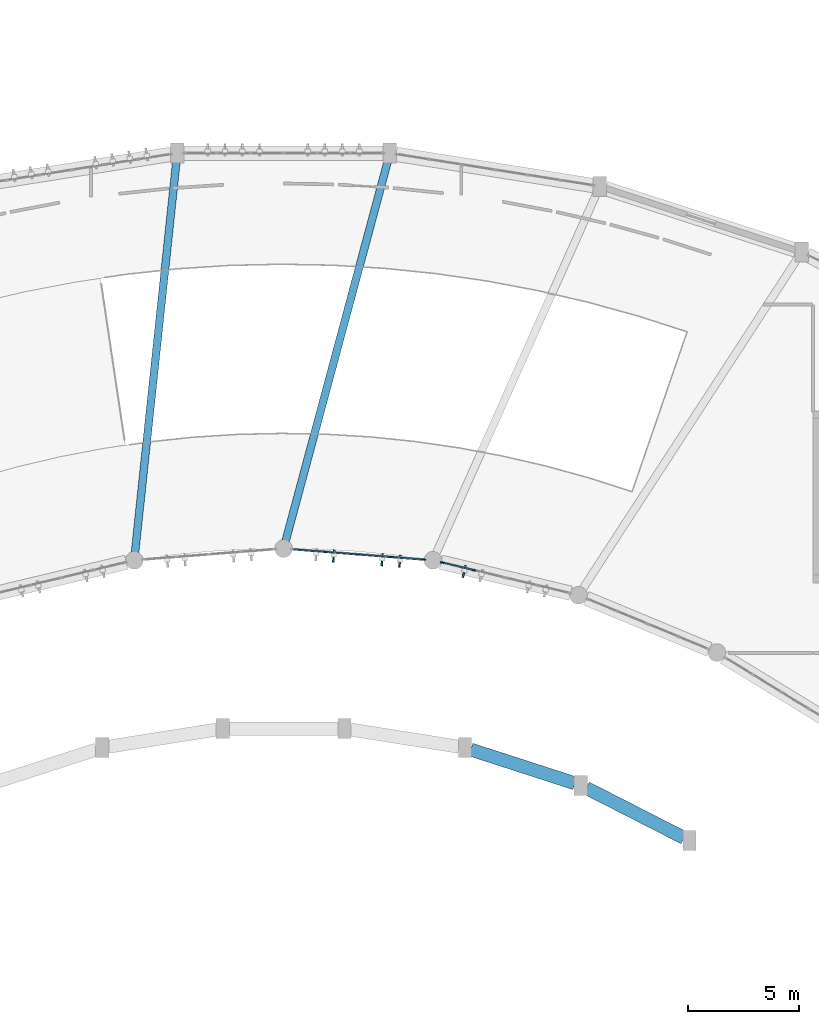
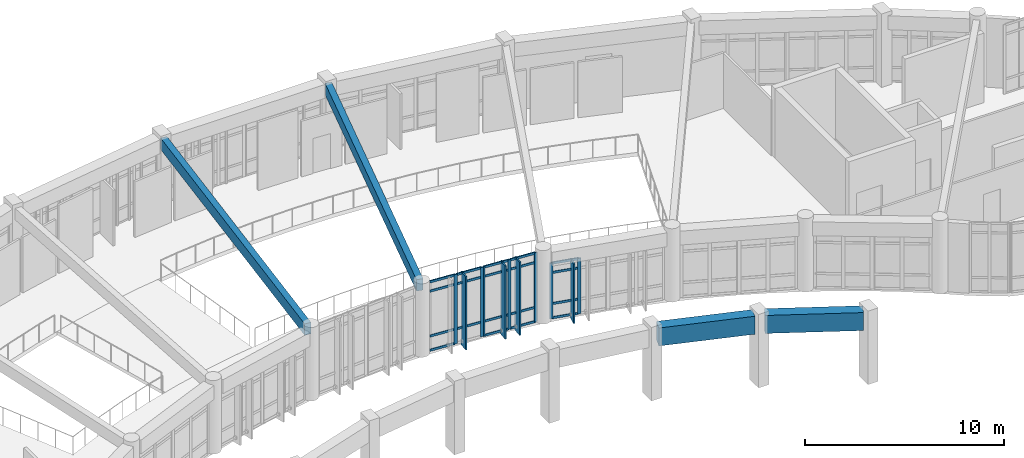
# One storey, part 15 of 54: 30 members, 4 beams, 3 elements without a shape of their own.
"""IFC4 building model written with IfcOpenShell, lengths in metres."""

from ifc_helpers import new_model, si_unit, direction, frame, origin, origin_2d, place, context, subcontext, project, spatial, rectangle, extrude, material, layer, layer_set, material_profile, profile_set, type_object, element, aggregate, save


model = new_model("IFC4")

# Units and contexts
model_context = context("Model", 3, precision=1e-05, world=origin(), true_north=direction((0.0, 1.0)))
body_context = subcontext(model_context, "Body", "Model", "MODEL_VIEW")
ifc_project = project(units=[si_unit("LENGTHUNIT", "METRE"), si_unit("AREAUNIT", "SQUARE_METRE"), si_unit("VOLUMEUNIT", "CUBIC_METRE"), si_unit("PLANEANGLEUNIT", "RADIAN"), si_unit("MASSUNIT", "GRAM", prefix="KILO")], contexts=[model_context])

# Site, building, storey
site_placement = place(None, origin())
site = spatial("IfcSite", under=ifc_project, at=site_placement, CompositionType="ELEMENT")
building_placement = place(site_placement, origin())
building = spatial("IfcBuilding", under=site, at=building_placement, Name="Miralva Faculty of Natural Sciences", CompositionType="ELEMENT")
storey_placement = place(building_placement, frame((0.0, 0.0, 19.5)))
storey = spatial("IfcBuildingStorey", under=building, at=storey_placement, Name="L04", CompositionType="ELEMENT", Elevation=19.5)

# Beams
ifc_material_1 = material(Name="Concrete C40/50", Category="concrete")
ifc_material_profile_1 = material_profile(ifc_material_1, rectangle(XDim=0.35009765625, YDim=0.699951171875, at=origin_2d()), Name="RC 350x700")
ifc_profile_set_1 = profile_set([ifc_material_profile_1], Name="Concrete C40/50")
beam_type_1 = type_object("IfcBeamType", Name="BM-B04", PredefinedType="BEAM", material=ifc_profile_set_1)
beam_1_placement = place(storey_placement, frame((90.095703125, 22.35546875, 3.909912109375), z_axis=(0.259712751318, 0.965685915193, 0.0), x_axis=(-0.965685915193, 0.259712751318, 0.0)))
element("IfcBeam", 1, at=beam_1_placement, inside=storey, type_object=beam_type_1, Name="Swept-arc radial girder L04-5", PredefinedType="BEAM", context=body_context, shape_type="SweptSolid", body=[
    extrude(rectangle(XDim=0.35009765625, YDim=0.699951171875, at=origin_2d()), origin(), (0.0, 0.0, 1.0), 17.798828125),
])
beam_2_placement = place(storey_placement, frame((83.30859375, 21.8359375, 3.909912109375), z_axis=(0.105196739373, 0.994451429696, 0.0), x_axis=(-0.994451429696, 0.105196739373, 0.0)))
element("IfcBeam", 2, at=beam_2_placement, inside=storey, type_object=beam_type_1, Name="Swept-arc radial girder L04-6", PredefinedType="BEAM", context=body_context, shape_type="SweptSolid", body=[
    extrude(rectangle(XDim=0.35009765625, YDim=0.699951171875, at=origin_2d()), origin(), (0.0, 0.0, 1.0), 17.798095703125),
])
ifc_material_profile_2 = material_profile(ifc_material_1, rectangle(XDim=0.60009765625, YDim=1.10009765625, at=origin_2d()), Name="RC 600x1100")
ifc_profile_set_2 = profile_set([ifc_material_profile_2], Name="Concrete C40/50")
beam_type_2 = type_object("IfcBeamType", Name="BM-TG01", PredefinedType="BEAM", material=ifc_profile_set_2)
beam_3_placement = place(storey_placement, frame((108.044189453125, 8.96533203125, 3.7099609375), z_axis=(-0.890746789072, 0.454499898523, 0.0), x_axis=(-0.454499898523, -0.890746789072, 0.0)))
element("IfcBeam", 3, at=beam_3_placement, inside=storey, type_object=beam_type_2, Name="Curved chord girder SHIN L04-1", PredefinedType="BEAM", context=body_context, shape_type="SweptSolid", body=[
    extrude(rectangle(XDim=0.60009765625, YDim=1.10009765625, at=origin_2d()), origin(), (0.0, 0.0, 1.0), 4.948974609375),
])
beam_4_placement = place(storey_placement, frame((103.12744140625, 11.425048828125, 3.7099609375), z_axis=(-0.951378867788, 0.308023132129, 0.0), x_axis=(-0.308023132129, -0.951378867788, 0.0)))
element("IfcBeam", 4, at=beam_4_placement, inside=storey, type_object=beam_type_2, Name="Curved chord girder SHIN L04-2", PredefinedType="BEAM", context=body_context, shape_type="SweptSolid", body=[
    extrude(rectangle(XDim=0.60009765625, YDim=1.10009765625, at=origin_2d()), origin(), (0.0, 0.0, 1.0), 4.934814453125),
])

# Curtain wall, members
ifc_material_2 = material(Name="Laminated solar-control glass", Category="glass")
ifc_layer = layer(ifc_material_2, 0.179931640625, Name="CW-ARC-L03")
ifc_layer_set = layer_set([ifc_layer], Name="Laminated solar-control glass")
curtain_wall_type = type_object("IfcCurtainWallType", Name="CW-ARC-L03", PredefinedType="USERDEFINED", material=ifc_layer_set)
curtain_wall_1_placement = place(storey_placement, origin())
curtain_wall_1 = element("IfcCurtainWall", 5, at=curtain_wall_1_placement, inside=storey, type_object=curtain_wall_type, Name="Curtain wall CW-03 L04-165", ObjectType="UNITISED CURTAIN WALL", PredefinedType="USERDEFINED")
ifc_material_3 = material(Name="Anodised aluminium", Category="aluminium")
ifc_material_profile_3 = material_profile(ifc_material_3, rectangle(XDim=0.06494140625, YDim=0.179931640625, at=origin_2d()), Name="MULLION 65x180")
ifc_profile_set_3 = profile_set([ifc_material_profile_3], Name="Anodised aluminium")
member_type_1 = type_object("IfcMemberType", Name="CW-M01", PredefinedType="MULLION", material=ifc_profile_set_3)
member_1_placement = place(storey_placement, frame((91.87353515625, 21.8525390625, 0.0), z_axis=(0.0, 0.0, 1.0), x_axis=(0.078461843942, 0.99691711744, 0.0)))
member_1 = element("IfcMember", 6, at=member_1_placement, type_object=member_type_1, Name="CW-03 mullion 2", PredefinedType="MULLION", context=body_context, shape_type="SweptSolid", body=[
    extrude(rectangle(XDim=0.06494140625, YDim=0.179931640625, at=origin_2d()), origin(), (0.0, 0.0, 1.0), 4.25),
])
member_2_placement = place(storey_placement, frame((93.330810546875, 21.73779296875, 0.0), z_axis=(0.0, 0.0, 1.0), x_axis=(0.078461843942, 0.99691711744, 0.0)))
member_2 = element("IfcMember", 7, at=member_2_placement, type_object=member_type_1, Name="CW-03 mullion 3", PredefinedType="MULLION", context=body_context, shape_type="SweptSolid", body=[
    extrude(rectangle(XDim=0.06494140625, YDim=0.179931640625, at=origin_2d()), origin(), (0.0, 0.0, 1.0), 4.25),
])

curtain_wall_2_placement = place(storey_placement, origin())
curtain_wall_2 = element("IfcCurtainWall", 8, at=curtain_wall_2_placement, inside=storey, type_object=curtain_wall_type, Name="Curtain wall CW-03 L04-166", ObjectType="UNITISED CURTAIN WALL", PredefinedType="USERDEFINED")
member_3_placement = place(storey_placement, frame((93.390625, 21.733154296875, 0.0), z_axis=(0.0, 0.0, 1.0), x_axis=(0.078461381568, 0.996917153831, 0.0)))
member_3 = element("IfcMember", 9, at=member_3_placement, type_object=member_type_1, Name="CW-03 mullion 1", PredefinedType="MULLION", context=body_context, shape_type="SweptSolid", body=[
    extrude(rectangle(XDim=0.06494140625, YDim=0.179931640625, at=origin_2d()), origin(), (0.0, 0.0, 1.0), 4.25),
])
member_4_placement = place(storey_placement, frame((94.8505859375, 21.6181640625, 0.0), z_axis=(0.0, 0.0, 1.0), x_axis=(0.078461381568, 0.996917153831, 0.0)))
member_4 = element("IfcMember", 10, at=member_4_placement, type_object=member_type_1, Name="CW-03 mullion 2", PredefinedType="MULLION", context=body_context, shape_type="SweptSolid", body=[
    extrude(rectangle(XDim=0.06494140625, YDim=0.179931640625, at=origin_2d()), origin(), (0.0, 0.0, 1.0), 4.25),
])
member_5_placement = place(storey_placement, frame((96.310546875, 21.50341796875, 0.0), z_axis=(0.0, 0.0, 1.0), x_axis=(0.078461381568, 0.996917153831, 0.0)))
member_5 = element("IfcMember", 11, at=member_5_placement, type_object=member_type_1, Name="CW-03 mullion 3", PredefinedType="MULLION", context=body_context, shape_type="SweptSolid", body=[
    extrude(rectangle(XDim=0.06494140625, YDim=0.179931640625, at=origin_2d()), origin(), (0.0, 0.0, 1.0), 4.25),
])

curtain_wall_3_placement = place(storey_placement, origin())
curtain_wall_3 = element("IfcCurtainWall", 12, at=curtain_wall_3_placement, inside=storey, type_object=curtain_wall_type, Name="Curtain wall CW-03 L04-167", ObjectType="UNITISED CURTAIN WALL", PredefinedType="USERDEFINED")
member_6_placement = place(storey_placement, frame((97.142333984375, 21.370849609375, 0.0), z_axis=(0.0, 0.0, 1.0), x_axis=(0.233456753574, 0.972367185898, 0.0)))
member_6 = element("IfcMember", 13, at=member_6_placement, type_object=member_type_1, Name="CW-03 mullion 1", PredefinedType="MULLION", context=body_context, shape_type="SweptSolid", body=[
    extrude(rectangle(XDim=0.06494140625, YDim=0.179931640625, at=origin_2d()), origin(), (0.0, 0.0, 1.0), 3.405029296875),
])
member_7_placement = place(storey_placement, frame((98.55908203125, 21.03076171875, 0.0), z_axis=(0.0, 0.0, 1.0), x_axis=(0.233456753574, 0.972367185898, 0.0)))
member_7 = element("IfcMember", 14, at=member_7_placement, type_object=member_type_1, Name="CW-03 mullion 2", PredefinedType="MULLION", context=body_context, shape_type="SweptSolid", body=[
    extrude(rectangle(XDim=0.06494140625, YDim=0.179931640625, at=origin_2d()), origin(), (0.0, 0.0, 1.0), 3.405029296875),
])

# Member
ifc_material_profile_4 = material_profile(ifc_material_3, rectangle(XDim=0.06494140625, YDim=0.139892578125, at=origin_2d()), Name="TRANSOM 65x140")
ifc_profile_set_4 = profile_set([ifc_material_profile_4], Name="Anodised aluminium")
member_type_2 = type_object("IfcMemberType", Name="CW-T01", PredefinedType="USERDEFINED", material=ifc_profile_set_4)
member_8_placement = place(storey_placement, frame((90.448486328125, 21.964599609375, 0.032470703125), z_axis=(0.996916165291, -0.078473940781, 0.0), x_axis=(0.078473940781, 0.996916165291, 0.0)))
member_8 = element("IfcMember", 15, at=member_8_placement, type_object=member_type_2, Name="CW-03 transom 1.1", ObjectType="TRANSOM", PredefinedType="USERDEFINED", context=body_context, shape_type="SweptSolid", body=[
    extrude(rectangle(XDim=0.06494140625, YDim=0.139892578125, at=origin_2d()), origin(), (0.0, 0.0, 1.0), 1.39697265625),
])

member_9_placement = place(storey_placement, frame((90.448486328125, 21.964599609375, 0.89990234375), z_axis=(0.996916165291, -0.078473940781, 0.0), x_axis=(0.078473940781, 0.996916165291, 0.0)))
member_9 = element("IfcMember", 16, at=member_9_placement, type_object=member_type_2, Name="CW-03 transom 1.2", ObjectType="TRANSOM", PredefinedType="USERDEFINED", context=body_context, shape_type="SweptSolid", body=[
    extrude(rectangle(XDim=0.06494140625, YDim=0.139892578125, at=origin_2d()), origin(), (0.0, 0.0, 1.0), 1.39697265625),
])

member_10_placement = place(storey_placement, frame((90.448486328125, 21.964599609375, 3.64990234375), z_axis=(0.996916165291, -0.078473940781, 0.0), x_axis=(0.078473940781, 0.996916165291, 0.0)))
member_10 = element("IfcMember", 17, at=member_10_placement, type_object=member_type_2, Name="CW-03 transom 1.3", ObjectType="TRANSOM", PredefinedType="USERDEFINED", context=body_context, shape_type="SweptSolid", body=[
    extrude(rectangle(XDim=0.06494140625, YDim=0.139892578125, at=origin_2d()), origin(), (0.0, 0.0, 1.0), 1.39697265625),
])

member_11_placement = place(storey_placement, frame((90.448486328125, 21.964599609375, 4.217529296875), z_axis=(0.996916165291, -0.078473940781, 0.0), x_axis=(0.078473940781, 0.996916165291, 0.0)))
member_11 = element("IfcMember", 18, at=member_11_placement, type_object=member_type_2, Name="CW-03 transom 1.4", ObjectType="TRANSOM", PredefinedType="USERDEFINED", context=body_context, shape_type="SweptSolid", body=[
    extrude(rectangle(XDim=0.06494140625, YDim=0.139892578125, at=origin_2d()), origin(), (0.0, 0.0, 1.0), 1.39697265625),
])

member_12_placement = place(storey_placement, frame((91.906005859375, 21.85009765625, 0.89990234375), z_axis=(0.996916165291, -0.078473940781, 0.0), x_axis=(0.078473940781, 0.996916165291, 0.0)))
member_12 = element("IfcMember", 19, at=member_12_placement, type_object=member_type_2, Name="CW-03 transom 2.2", ObjectType="TRANSOM", PredefinedType="USERDEFINED", context=body_context, shape_type="SweptSolid", body=[
    extrude(rectangle(XDim=0.06494140625, YDim=0.139892578125, at=origin_2d()), origin(), (0.0, 0.0, 1.0), 1.39697265625),
])

member_13_placement = place(storey_placement, frame((91.906005859375, 21.85009765625, 3.64990234375), z_axis=(0.996916165291, -0.078473940781, 0.0), x_axis=(0.078473940781, 0.996916165291, 0.0)))
member_13 = element("IfcMember", 20, at=member_13_placement, type_object=member_type_2, Name="CW-03 transom 2.3", ObjectType="TRANSOM", PredefinedType="USERDEFINED", context=body_context, shape_type="SweptSolid", body=[
    extrude(rectangle(XDim=0.06494140625, YDim=0.139892578125, at=origin_2d()), origin(), (0.0, 0.0, 1.0), 1.39697265625),
])

member_14_placement = place(storey_placement, frame((91.906005859375, 21.85009765625, 4.217529296875), z_axis=(0.996916165291, -0.078473940781, 0.0), x_axis=(0.078473940781, 0.996916165291, 0.0)))
member_14 = element("IfcMember", 21, at=member_14_placement, type_object=member_type_2, Name="CW-03 transom 2.4", ObjectType="TRANSOM", PredefinedType="USERDEFINED", context=body_context, shape_type="SweptSolid", body=[
    extrude(rectangle(XDim=0.06494140625, YDim=0.139892578125, at=origin_2d()), origin(), (0.0, 0.0, 1.0), 1.39697265625),
])

aggregate(curtain_wall_1, [member_1, member_2, member_8, member_9, member_10, member_11, member_12, member_13, member_14])

member_15_placement = place(storey_placement, frame((93.423095703125, 21.730712890625, 0.032470703125), z_axis=(0.996913259646, -0.078510844739, 0.0), x_axis=(0.078510844739, 0.996913259646, 0.0)))
member_15 = element("IfcMember", 22, at=member_15_placement, type_object=member_type_2, Name="CW-03 transom 1.1", ObjectType="TRANSOM", PredefinedType="USERDEFINED", context=body_context, shape_type="SweptSolid", body=[
    extrude(rectangle(XDim=0.06494140625, YDim=0.139892578125, at=origin_2d()), origin(), (0.0, 0.0, 1.0), 1.3994140625),
])

member_16_placement = place(storey_placement, frame((93.423095703125, 21.730712890625, 0.89990234375), z_axis=(0.996913259646, -0.078510844739, 0.0), x_axis=(0.078510844739, 0.996913259646, 0.0)))
member_16 = element("IfcMember", 23, at=member_16_placement, type_object=member_type_2, Name="CW-03 transom 1.2", ObjectType="TRANSOM", PredefinedType="USERDEFINED", context=body_context, shape_type="SweptSolid", body=[
    extrude(rectangle(XDim=0.06494140625, YDim=0.139892578125, at=origin_2d()), origin(), (0.0, 0.0, 1.0), 1.3994140625),
])

member_17_placement = place(storey_placement, frame((93.423095703125, 21.730712890625, 3.64990234375), z_axis=(0.996913259646, -0.078510844739, 0.0), x_axis=(0.078510844739, 0.996913259646, 0.0)))
member_17 = element("IfcMember", 24, at=member_17_placement, type_object=member_type_2, Name="CW-03 transom 1.3", ObjectType="TRANSOM", PredefinedType="USERDEFINED", context=body_context, shape_type="SweptSolid", body=[
    extrude(rectangle(XDim=0.06494140625, YDim=0.139892578125, at=origin_2d()), origin(), (0.0, 0.0, 1.0), 1.3994140625),
])

member_18_placement = place(storey_placement, frame((93.423095703125, 21.730712890625, 4.217529296875), z_axis=(0.996913259646, -0.078510844739, 0.0), x_axis=(0.078510844739, 0.996913259646, 0.0)))
member_18 = element("IfcMember", 25, at=member_18_placement, type_object=member_type_2, Name="CW-03 transom 1.4", ObjectType="TRANSOM", PredefinedType="USERDEFINED", context=body_context, shape_type="SweptSolid", body=[
    extrude(rectangle(XDim=0.06494140625, YDim=0.139892578125, at=origin_2d()), origin(), (0.0, 0.0, 1.0), 1.3994140625),
])

member_19_placement = place(storey_placement, frame((94.883056640625, 21.61572265625, 0.032470703125), z_axis=(0.996913259646, -0.078510844739, 0.0), x_axis=(0.078510844739, 0.996913259646, 0.0)))
member_19 = element("IfcMember", 26, at=member_19_placement, type_object=member_type_2, Name="CW-03 transom 2.1", ObjectType="TRANSOM", PredefinedType="USERDEFINED", context=body_context, shape_type="SweptSolid", body=[
    extrude(rectangle(XDim=0.06494140625, YDim=0.139892578125, at=origin_2d()), origin(), (0.0, 0.0, 1.0), 1.3994140625),
])

member_20_placement = place(storey_placement, frame((94.883056640625, 21.61572265625, 0.89990234375), z_axis=(0.996913259646, -0.078510844739, 0.0), x_axis=(0.078510844739, 0.996913259646, 0.0)))
member_20 = element("IfcMember", 27, at=member_20_placement, type_object=member_type_2, Name="CW-03 transom 2.2", ObjectType="TRANSOM", PredefinedType="USERDEFINED", context=body_context, shape_type="SweptSolid", body=[
    extrude(rectangle(XDim=0.06494140625, YDim=0.139892578125, at=origin_2d()), origin(), (0.0, 0.0, 1.0), 1.3994140625),
])

member_21_placement = place(storey_placement, frame((94.883056640625, 21.61572265625, 3.64990234375), z_axis=(0.996913259646, -0.078510844739, 0.0), x_axis=(0.078510844739, 0.996913259646, 0.0)))
member_21 = element("IfcMember", 28, at=member_21_placement, type_object=member_type_2, Name="CW-03 transom 2.3", ObjectType="TRANSOM", PredefinedType="USERDEFINED", context=body_context, shape_type="SweptSolid", body=[
    extrude(rectangle(XDim=0.06494140625, YDim=0.139892578125, at=origin_2d()), origin(), (0.0, 0.0, 1.0), 1.3994140625),
])

member_22_placement = place(storey_placement, frame((94.883056640625, 21.61572265625, 4.217529296875), z_axis=(0.996913259646, -0.078510844739, 0.0), x_axis=(0.078510844739, 0.996913259646, 0.0)))
member_22 = element("IfcMember", 29, at=member_22_placement, type_object=member_type_2, Name="CW-03 transom 2.4", ObjectType="TRANSOM", PredefinedType="USERDEFINED", context=body_context, shape_type="SweptSolid", body=[
    extrude(rectangle(XDim=0.06494140625, YDim=0.139892578125, at=origin_2d()), origin(), (0.0, 0.0, 1.0), 1.3994140625),
])

aggregate(curtain_wall_2, [member_3, member_4, member_5, member_15, member_16, member_17, member_18, member_19, member_20, member_21, member_22])

member_23_placement = place(storey_placement, frame((97.174072265625, 21.36328125, 0.032470703125), z_axis=(0.97236022589, -0.233485740693, 0.0), x_axis=(0.233485740693, 0.97236022589, 0.0)))
member_23 = element("IfcMember", 30, at=member_23_placement, type_object=member_type_2, Name="CW-03 transom 1.1", ObjectType="TRANSOM", PredefinedType="USERDEFINED", context=body_context, shape_type="SweptSolid", body=[
    extrude(rectangle(XDim=0.06494140625, YDim=0.139892578125, at=origin_2d()), origin(), (0.0, 0.0, 1.0), 1.391845703125),
])

member_24_placement = place(storey_placement, frame((97.174072265625, 21.36328125, 0.89990234375), z_axis=(0.97236022589, -0.233485740693, 0.0), x_axis=(0.233485740693, 0.97236022589, 0.0)))
member_24 = element("IfcMember", 31, at=member_24_placement, type_object=member_type_2, Name="CW-03 transom 1.2", ObjectType="TRANSOM", PredefinedType="USERDEFINED", context=body_context, shape_type="SweptSolid", body=[
    extrude(rectangle(XDim=0.06494140625, YDim=0.139892578125, at=origin_2d()), origin(), (0.0, 0.0, 1.0), 1.391845703125),
])

member_25_placement = place(storey_placement, frame((97.174072265625, 21.36328125, 2.804931640625), z_axis=(0.97236022589, -0.233485740693, 0.0), x_axis=(0.233485740693, 0.97236022589, 0.0)))
member_25 = element("IfcMember", 32, at=member_25_placement, type_object=member_type_2, Name="CW-03 transom 1.3", ObjectType="TRANSOM", PredefinedType="USERDEFINED", context=body_context, shape_type="SweptSolid", body=[
    extrude(rectangle(XDim=0.06494140625, YDim=0.139892578125, at=origin_2d()), origin(), (0.0, 0.0, 1.0), 1.391845703125),
])

member_26_placement = place(storey_placement, frame((97.174072265625, 21.36328125, 3.37255859375), z_axis=(0.97236022589, -0.233485740693, 0.0), x_axis=(0.233485740693, 0.97236022589, 0.0)))
member_26 = element("IfcMember", 33, at=member_26_placement, type_object=member_type_2, Name="CW-03 transom 1.4", ObjectType="TRANSOM", PredefinedType="USERDEFINED", context=body_context, shape_type="SweptSolid", body=[
    extrude(rectangle(XDim=0.06494140625, YDim=0.139892578125, at=origin_2d()), origin(), (0.0, 0.0, 1.0), 1.391845703125),
])

aggregate(curtain_wall_3, [member_6, member_7, member_23, member_24, member_25, member_26])

# Members
ifc_material_profile_5 = material_profile(ifc_material_3, rectangle(XDim=0.080078125, YDim=0.550048828125, at=origin_2d()), Name="FIN 550x80")
ifc_profile_set_5 = profile_set([ifc_material_profile_5], Name="Anodised aluminium")
member_type_3 = type_object("IfcMemberType", Name="MEM-SF01", PredefinedType="USERDEFINED", material=ifc_profile_set_5)
for number, where, z_axis, x_axis, name in (
    (34, (92.257080078125, 21.661865234375, -0.239990234375), (0.0, 0.0, 1.0), (0.996917333733, -0.078459095728, 0.0), "Solar shading fin SF-01 L04-126"),
    (35, (94.44091796875, 21.489990234375, -0.239990234375), (0.0, 0.0, 1.0), (0.996917333733, -0.078459095728, 0.0), "Solar shading fin SF-01 L04-127"),
    (36, (95.2353515625, 21.427490234375, -0.239990234375), (0.0, 0.0, 1.0), (0.996917333733, -0.078459095728, 0.0), "Solar shading fin SF-01 L04-128"),
):
    element("IfcMember", number, at=place(storey_placement, frame(where, z_axis=z_axis, x_axis=x_axis)), inside=storey, type_object=member_type_3, Name=name, ObjectType="SUNSHADE", PredefinedType="USERDEFINED", context=body_context, shape_type="SweptSolid", body=[
        extrude(rectangle(XDim=0.080078125, YDim=0.550048828125, at=origin_2d()), origin(), (0.0, 0.0, 1.0), 4.489990234375),
    ])
member_27_placement = place(storey_placement, frame((98.137939453125, 20.96728515625, -0.239990234375), z_axis=(0.0, 0.0, 1.0), x_axis=(0.972369920398, -0.233445363856, 0.0)))
element("IfcMember", 37, at=member_27_placement, inside=storey, type_object=member_type_3, Name="Solar shading fin SF-01 L04-129", ObjectType="SUNSHADE", PredefinedType="USERDEFINED", context=body_context, shape_type="SweptSolid", body=[
    extrude(rectangle(XDim=0.080078125, YDim=0.550048828125, at=origin_2d()), origin(), (0.0, 0.0, 1.0), 3.64501953125),
])

save(model, "model.ifc")
